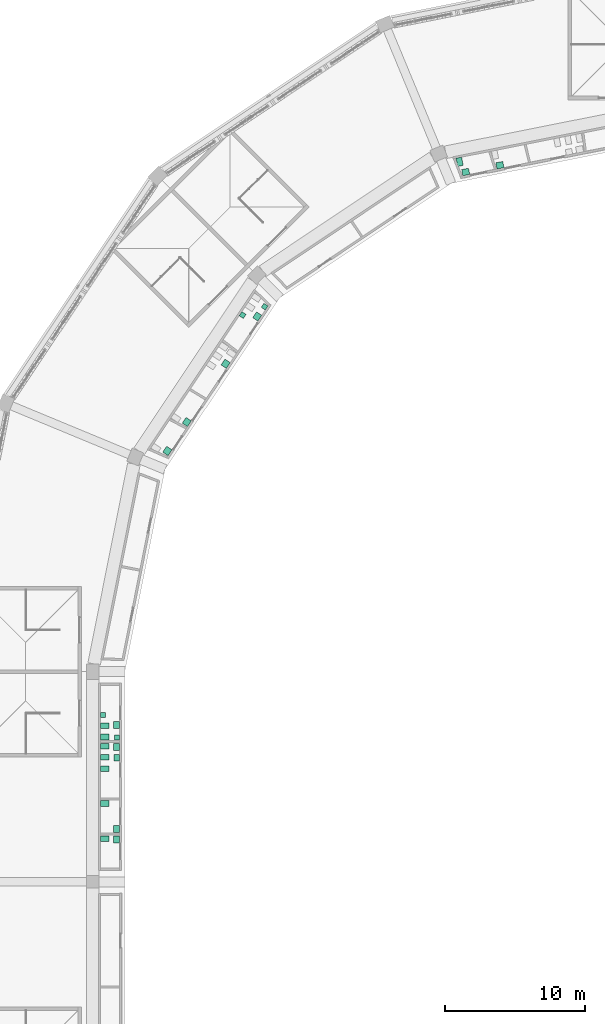
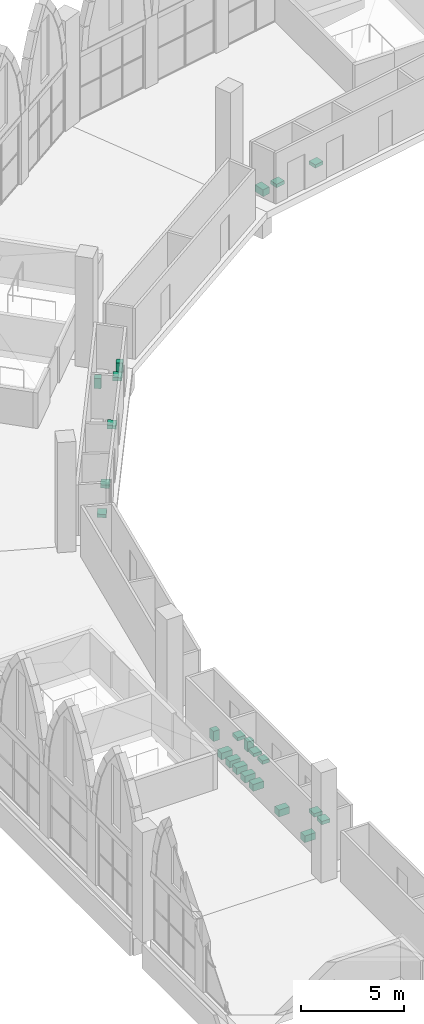
# One storey, part 128 of 130: 23 sanitary terminals.
"""IFC4 building model written with IfcOpenShell, lengths in metres."""

from ifc_helpers import new_model, si_unit, direction, frame, origin, origin_2d, place, context, subcontext, project, spatial, rectangle, extrude, material, type_object, element, save


model = new_model("IFC4")

# Units and contexts
model_context = context("Model", 3, precision=1e-05, world=origin(), true_north=direction((0.0, 1.0)))
body_context = subcontext(model_context, "Body", "Model", "MODEL_VIEW")
ifc_project = project(units=[si_unit("LENGTHUNIT", "METRE"), si_unit("AREAUNIT", "SQUARE_METRE"), si_unit("VOLUMEUNIT", "CUBIC_METRE"), si_unit("PLANEANGLEUNIT", "RADIAN"), si_unit("MASSUNIT", "GRAM", prefix="KILO")], contexts=[model_context])

# Site, building, storey
site_placement = place(None, origin())
site = spatial("IfcSite", under=ifc_project, at=site_placement, CompositionType="ELEMENT")
building_placement = place(site_placement, origin())
building = spatial("IfcBuilding", under=site, at=building_placement, Name="Ogive Plaza Stadium", CompositionType="ELEMENT")
storey_placement = place(building_placement, frame((0.0, 0.0, 22.5)))
storey = spatial("IfcBuildingStorey", under=building, at=storey_placement, Name="L05", CompositionType="ELEMENT", Elevation=22.5)

# Sanitary terminals
ifc_material_1 = material(Name="Vitreous china", Category="ceramic")
sanitary_terminal_type_1 = type_object("IfcSanitaryTerminalType", Name="Drinking fountain", PredefinedType="SANITARYFOUNTAIN", material=ifc_material_1)
sanitary_terminal_placement = place(storey_placement, frame((-72.27490234375, 46.35791015625, 0.7998046875), z_axis=(0.0, 0.0, 1.0), x_axis=(0.0, -1.0, 0.0)))
element("IfcSanitaryTerminal", 1, at=sanitary_terminal_placement, inside=storey, type_object=sanitary_terminal_type_1, Name="Drinking fountain L05-080", PredefinedType="SANITARYFOUNTAIN", context=body_context, shape_type="SweptSolid", body=[
    extrude(rectangle(XDim=0.449951171875, YDim=0.39990234375, at=origin_2d()), origin(), (0.0, 0.0, 1.0), 0.199951171875),
])
ifc_material_2 = material(Name="Vitreous china", Category="ceramic")
sanitary_terminal_type_2 = type_object("IfcSanitaryTerminalType", Name="Lavatory", PredefinedType="WASHHANDBASIN", material=ifc_material_2)
for number, where, z_axis, x_axis, name in (
    (2, (-72.300048828125, 48.68310546875, 0.7998046875), (0.0, 0.0, 1.0), (0.0, 1.0, 0.0), "Lavatory L05-079"),
    (3, (-62.25341796875, 77.8369140625, 0.7998046875), (0.0, 0.0, 1.0), (-0.55557023302, -0.831469612303, 0.0), "Lavatory L05-085"),
    (4, (-72.300048828125, 47.133056640625, 0.7998046875), (0.0, 0.0, 1.0), (0.0, -1.0, 0.0), "Lavatory L05-080"),
    (5, (-64.507568359375, 74.46337890625, 0.7998046875), (0.0, 0.0, 1.0), (-0.55557023302, -0.831469612303, 0.0), "Lavatory L05-086"),
    (6, (-72.300048828125, 41.282958984375, 0.7998046875), (0.0, 0.0, 1.0), (0.0, 1.0, 0.0), "Lavatory L05-081"),
    (7, (-72.300048828125, 40.532958984375, 0.7998046875), (0.0, 0.0, 1.0), (0.0, -1.0, 0.0), "Lavatory L05-082"),
    (8, (-67.283447265625, 70.30908203125, 0.7998046875), (0.0, 0.0, 1.0), (0.55557023302, 0.831469612303, 0.0), "Lavatory L05-087"),
    (9, (-68.664794921875, 68.24169921875, 0.7998046875), (0.0, 0.0, 1.0), (0.55557023302, 0.831469612303, 0.0), "Lavatory L05-088"),
    (10, (-44.94189453125, 88.6279296875, 0.7998046875), (0.0, 0.0, 1.0), (0.980785280403, 0.195090322016, 0.0), "Lavatory L05-093"),
    (11, (-47.380615234375, 88.142822265625, 0.7998046875), (0.0, 0.0, 1.0), (0.980785280403, 0.195090322016, 0.0), "Lavatory L05-094"),
):
    element("IfcSanitaryTerminal", number, at=place(storey_placement, frame(where, z_axis=z_axis, x_axis=x_axis)), inside=storey, type_object=sanitary_terminal_type_2, Name=name, PredefinedType="WASHHANDBASIN", context=body_context, shape_type="SweptSolid", body=[
        extrude(rectangle(XDim=0.5, YDim=0.449951171875, at=origin_2d()), origin(), (0.0, 0.0, 1.0), 0.199951171875),
    ])
ifc_material_3 = material(Name="Vitreous china", Category="ceramic")
sanitary_terminal_type_3 = type_object("IfcSanitaryTerminalType", Name="Urinal", PredefinedType="URINAL", material=ifc_material_3)
for number, where, z_axis, x_axis, name in (
    (12, (-73.25, 49.407958984375, 0.599853515625), (0.0, 0.0, 1.0), (0.0, 1.0, 0.0), "Urinal L05-079"),
    (13, (-72.25, 47.80810546875, 0.599853515625), (0.0, 0.0, 1.0), (0.0, 1.0, 0.0), "Urinal L05-079"),
    (14, (-63.297119140625, 77.938232421875, 0.599853515625), (0.0, 0.0, 1.0), (-0.55557023302, -0.831469612303, 0.0), "Urinal L05-085"),
    (15, (-61.725830078125, 78.53662109375, 0.599853515625), (0.0, 0.0, 1.0), (-0.55557023302, -0.831469612303, 0.0), "Urinal L05-085"),
):
    element("IfcSanitaryTerminal", number, at=place(storey_placement, frame(where, z_axis=z_axis, x_axis=x_axis)), inside=storey, type_object=sanitary_terminal_type_3, Name=name, PredefinedType="URINAL", context=body_context, shape_type="SweptSolid", body=[
        extrude(rectangle(XDim=0.35009765625, YDim=0.35009765625, at=origin_2d()), origin(), (0.0, 0.0, 1.0), 0.60009765625),
    ])
ifc_material_4 = material(Name="Vitreous china", Category="ceramic")
sanitary_terminal_type_4 = type_object("IfcSanitaryTerminalType", Name="Water closet", PredefinedType="TOILETPAN", material=ifc_material_4)
for number, where, z_axis, x_axis, name in (
    (16, (-73.125, 47.8330078125, 0.0), (0.0, 0.0, 1.0), (0.0, 1.0, 0.0), "Water closet L05-079"),
    (17, (-73.125, 48.633056640625, 0.0), (0.0, 0.0, 1.0), (0.0, 1.0, 0.0), "Water closet L05-079"),
    (18, (-73.125, 47.18310546875, 0.0), (0.0, 0.0, 1.0), (0.0, -1.0, 0.0), "Water closet L05-080"),
    (19, (-73.125, 46.383056640625, 0.0), (0.0, 0.0, 1.0), (0.0, -1.0, 0.0), "Water closet L05-080"),
    (20, (-73.125, 45.5830078125, 0.0), (0.0, 0.0, 1.0), (0.0, -1.0, 0.0), "Water closet L05-080"),
    (21, (-73.125, 43.091064453125, 0.0), (0.0, 0.0, 1.0), (0.0, -1.0, 0.0), "Water closet L05-081"),
    (22, (-73.125, 40.5830078125, 0.0), (0.0, 0.0, 1.0), (0.0, -1.0, 0.0), "Water closet L05-082"),
    (23, (-47.810546875, 88.8720703125, 0.0), (0.0, 0.0, 1.0), (0.980785280403, 0.195090322016, 0.0), "Water closet L05-094"),
):
    element("IfcSanitaryTerminal", number, at=place(storey_placement, frame(where, z_axis=z_axis, x_axis=x_axis)), inside=storey, type_object=sanitary_terminal_type_4, Name=name, PredefinedType="TOILETPAN", context=body_context, shape_type="SweptSolid", body=[
        extrude(rectangle(XDim=0.39990234375, YDim=0.60009765625, at=origin_2d()), origin(), (0.0, 0.0, 1.0), 0.39990234375),
    ])

save(model, "model.ifc")
